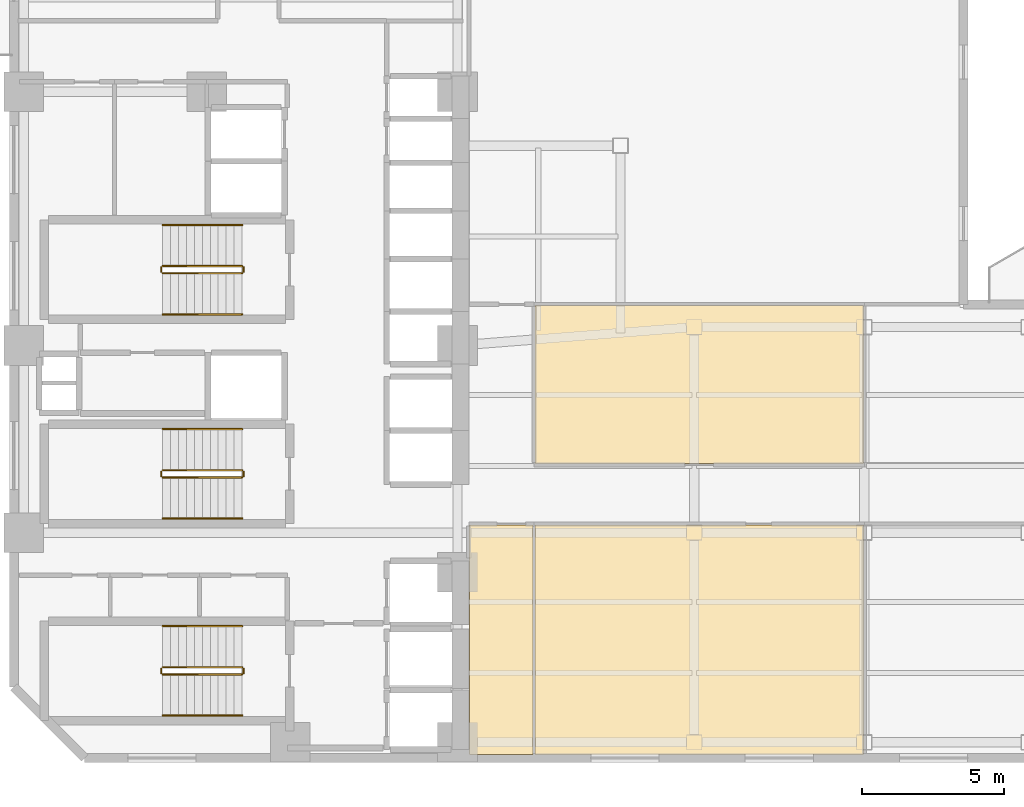
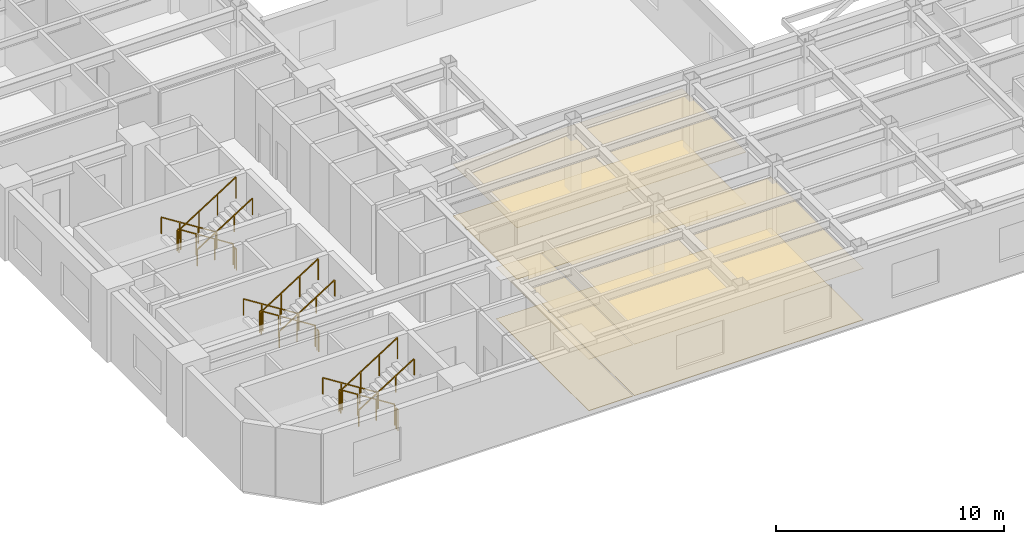
# One storey, part 8 of 10: 18 railings, 6 coverings.
"""IFC4 building model written with IfcOpenShell, lengths in metres."""

from ifc_helpers import new_model, si_unit, direction, frame, origin, origin_2d, place, context, subcontext, project, spatial, polyline, rectangle, outline, extrude, material, layer, layer_set, type_object, element, save


model = new_model("IFC4")

# Units and contexts
model_context = context("Model", 3, precision=1e-05, world=origin(), true_north=direction((0.0, 1.0)))
body_context = subcontext(model_context, "Body", "Model", "MODEL_VIEW")
ifc_project = project(units=[si_unit("LENGTHUNIT", "METRE"), si_unit("AREAUNIT", "SQUARE_METRE"), si_unit("VOLUMEUNIT", "CUBIC_METRE"), si_unit("PLANEANGLEUNIT", "RADIAN"), si_unit("MASSUNIT", "GRAM", prefix="KILO")], contexts=[model_context])

# Site, building, storey
site_placement = place(None, origin())
site = spatial("IfcSite", under=ifc_project, at=site_placement, CompositionType="ELEMENT")
building_placement = place(site_placement, origin())
building = spatial("IfcBuilding", under=site, at=building_placement, Name="Mawjaban Terraces University", CompositionType="ELEMENT")
storey_placement = place(building_placement, frame((0.0, 0.0, 34.89990234375)))
storey = spatial("IfcBuildingStorey", under=building, at=storey_placement, Name="L07", CompositionType="ELEMENT", Elevation=34.89990234375)

# Coverings
ifc_material_1 = material(Name="Acoustic mineral fibre ceiling tile", Category="masonry")
ifc_layer_1 = layer(ifc_material_1, 0.02001953125)
ifc_layer_set_1 = layer_set([ifc_layer_1], Name="Acoustic mineral fibre ceiling tile")
covering_type_1 = type_object("IfcCoveringType", Name="AcousticMineralCeiling_20", PredefinedType="CEILING", material=ifc_layer_set_1)
covering_1_placement = place(storey_placement, frame((0.0, 0.0, 2.75)))
element("IfcCovering", 1, at=covering_1_placement, inside=storey, type_object=covering_type_1, Name="L07 Classroom 1 Acoustic Ceiling", PredefinedType="CEILING", context=body_context, shape_type="SweptSolid", body=[
    extrude(outline(polyline([(38.080078125, 0.114990234375), (40.320068359375, 0.114990234375), (40.320068359375, 8.219970703125), (38.080078125, 8.219970703125), (38.080078125, 0.114990234375)])), origin(), (0.0, 0.0, 1.0), 0.02001953125),
])
covering_2_placement = place(storey_placement, frame((0.0, 0.0, 2.75)))
element("IfcCovering", 2, at=covering_2_placement, inside=storey, type_object=covering_type_1, Name="L07 Seminar Room 2 Acoustic Ceiling", PredefinedType="CEILING", context=body_context, shape_type="SweptSolid", body=[
    extrude(outline(polyline([(40.3798828125, 0.114990234375), (51.969970703125, 0.114990234375), (51.969970703125, 8.219970703125), (40.3798828125, 8.219970703125), (40.3798828125, 0.114990234375)])), origin(), (0.0, 0.0, 1.0), 0.02001953125),
])
covering_3_placement = place(storey_placement, frame((0.0, 0.0, 2.75)))
element("IfcCovering", 3, at=covering_3_placement, inside=storey, type_object=covering_type_1, Name="L07 Classroom 3 Acoustic Ceiling", PredefinedType="CEILING", context=body_context, shape_type="SweptSolid", body=[
    extrude(outline(polyline([(51.969970703125, 10.3798828125), (51.969970703125, 15.969970703125), (40.3798828125, 15.969970703125), (40.3798828125, 10.3798828125), (51.969970703125, 10.3798828125)])), origin(), (0.0, 0.0, 1.0), 0.02001953125),
])

# Railings
ifc_material_2 = material(Name="Brushed stainless steel 316", Category="steel")
railing_type_1 = type_object("IfcRailingType", Name="StairWallHandrail_900", PredefinedType="HANDRAIL", material=ifc_material_2)
railing_1_placement = place(storey_placement, frame((30.050048828125, 4.64990234375, 0.177490234375)))
element("IfcRailing", 4, at=railing_1_placement, inside=storey, type_object=railing_type_1, Name="L07 ST-1 stair handrail 1", PredefinedType="HANDRAIL", context=body_context, shape_type="SweptSolid", body=[
    extrude(rectangle(XDim=0.048095703125, YDim=0.048095703125, at=origin_2d()), frame((0.0, 0.0, 0.8759765625), z_axis=(-0.844908973607, 0.0, 0.534910110503), x_axis=(0.0, -1.0, 0.0)), (0.0, 0.0, 1.0), 3.31396484375),
    extrude(rectangle(XDim=0.0419921875, YDim=0.0419921875, at=origin_2d()), origin(), (0.0, 0.0, 1.0), 0.851806640625),
    extrude(rectangle(XDim=0.0419921875, YDim=0.0419921875, at=origin_2d()), frame((-0.933349609375, 0.0, 0.5908203125)), (0.0, 0.0, 1.0), 0.851806640625),
    extrude(rectangle(XDim=0.0419921875, YDim=0.0419921875, at=origin_2d()), frame((-1.86669921875, 0.0, 1.181884765625)), (0.0, 0.0, 1.0), 0.851806640625),
    extrude(rectangle(XDim=0.0419921875, YDim=0.0419921875, at=origin_2d()), frame((-2.800048828125, 0.0, 1.772705078125)), (0.0, 0.0, 1.0), 0.851806640625),
])
railing_2_placement = place(storey_placement, frame((27.25, 1.5, 2.12744140625)))
element("IfcRailing", 5, at=railing_2_placement, inside=storey, type_object=railing_type_1, Name="L07 ST-1 stair handrail 2", PredefinedType="HANDRAIL", context=body_context, shape_type="SweptSolid", body=[
    extrude(rectangle(XDim=0.048095703125, YDim=0.048095703125, at=origin_2d()), frame((0.0, 0.0, 0.8759765625), z_axis=(0.844908973607, 0.0, 0.534910110503), x_axis=(0.0, 1.0, 0.0)), (0.0, 0.0, 1.0), 3.31396484375),
    extrude(rectangle(XDim=0.0419921875, YDim=0.0419921875, at=origin_2d()), origin(), (0.0, 0.0, 1.0), 0.851806640625),
    extrude(rectangle(XDim=0.0419921875, YDim=0.0419921875, at=origin_2d()), frame((0.933349609375, 0.0, 0.5908203125)), (0.0, 0.0, 1.0), 0.851806640625),
    extrude(rectangle(XDim=0.0419921875, YDim=0.0419921875, at=origin_2d()), frame((1.86669921875, 0.0, 1.181884765625)), (0.0, 0.0, 1.0), 0.851806640625),
    extrude(rectangle(XDim=0.0419921875, YDim=0.0419921875, at=origin_2d()), frame((2.800048828125, 0.0, 1.772705078125)), (0.0, 0.0, 1.0), 0.851806640625),
])
railing_3_placement = place(storey_placement, frame((30.050048828125, 18.800048828125, 0.177490234375)))
element("IfcRailing", 6, at=railing_3_placement, inside=storey, type_object=railing_type_1, Name="L07 ST-2 stair handrail 1", PredefinedType="HANDRAIL", context=body_context, shape_type="SweptSolid", body=[
    extrude(rectangle(XDim=0.048095703125, YDim=0.048095703125, at=origin_2d()), frame((0.0, 0.0, 0.8759765625), z_axis=(-0.844908973607, 0.0, 0.534910110503), x_axis=(0.0, -1.0, 0.0)), (0.0, 0.0, 1.0), 3.31396484375),
    extrude(rectangle(XDim=0.0419921875, YDim=0.0419921875, at=origin_2d()), origin(), (0.0, 0.0, 1.0), 0.851806640625),
    extrude(rectangle(XDim=0.0419921875, YDim=0.0419921875, at=origin_2d()), frame((-0.933349609375, 0.0, 0.5908203125)), (0.0, 0.0, 1.0), 0.851806640625),
    extrude(rectangle(XDim=0.0419921875, YDim=0.0419921875, at=origin_2d()), frame((-1.86669921875, 0.0, 1.181884765625)), (0.0, 0.0, 1.0), 0.851806640625),
    extrude(rectangle(XDim=0.0419921875, YDim=0.0419921875, at=origin_2d()), frame((-2.800048828125, 0.0, 1.772705078125)), (0.0, 0.0, 1.0), 0.851806640625),
])
railing_4_placement = place(storey_placement, frame((27.25, 15.64990234375, 2.12744140625)))
element("IfcRailing", 7, at=railing_4_placement, inside=storey, type_object=railing_type_1, Name="L07 ST-2 stair handrail 2", PredefinedType="HANDRAIL", context=body_context, shape_type="SweptSolid", body=[
    extrude(rectangle(XDim=0.048095703125, YDim=0.048095703125, at=origin_2d()), frame((0.0, 0.0, 0.8759765625), z_axis=(0.844908973607, 0.0, 0.534910110503), x_axis=(0.0, 1.0, 0.0)), (0.0, 0.0, 1.0), 3.31396484375),
    extrude(rectangle(XDim=0.0419921875, YDim=0.0419921875, at=origin_2d()), origin(), (0.0, 0.0, 1.0), 0.851806640625),
    extrude(rectangle(XDim=0.0419921875, YDim=0.0419921875, at=origin_2d()), frame((0.933349609375, 0.0, 0.5908203125)), (0.0, 0.0, 1.0), 0.851806640625),
    extrude(rectangle(XDim=0.0419921875, YDim=0.0419921875, at=origin_2d()), frame((1.86669921875, 0.0, 1.181884765625)), (0.0, 0.0, 1.0), 0.851806640625),
    extrude(rectangle(XDim=0.0419921875, YDim=0.0419921875, at=origin_2d()), frame((2.800048828125, 0.0, 1.772705078125)), (0.0, 0.0, 1.0), 0.851806640625),
])
railing_5_placement = place(storey_placement, frame((30.050048828125, 11.60009765625, 0.177490234375)))
element("IfcRailing", 8, at=railing_5_placement, inside=storey, type_object=railing_type_1, Name="L07 ST-3 stair handrail 1", PredefinedType="HANDRAIL", context=body_context, shape_type="SweptSolid", body=[
    extrude(rectangle(XDim=0.048095703125, YDim=0.048095703125, at=origin_2d()), frame((0.0, 0.0, 0.8759765625), z_axis=(-0.844908973607, 0.0, 0.534910110503), x_axis=(0.0, -1.0, 0.0)), (0.0, 0.0, 1.0), 3.31396484375),
    extrude(rectangle(XDim=0.0419921875, YDim=0.0419921875, at=origin_2d()), origin(), (0.0, 0.0, 1.0), 0.851806640625),
    extrude(rectangle(XDim=0.0419921875, YDim=0.0419921875, at=origin_2d()), frame((-0.933349609375, 0.0, 0.5908203125)), (0.0, 0.0, 1.0), 0.851806640625),
    extrude(rectangle(XDim=0.0419921875, YDim=0.0419921875, at=origin_2d()), frame((-1.86669921875, 0.0, 1.181884765625)), (0.0, 0.0, 1.0), 0.851806640625),
    extrude(rectangle(XDim=0.0419921875, YDim=0.0419921875, at=origin_2d()), frame((-2.800048828125, 0.0, 1.772705078125)), (0.0, 0.0, 1.0), 0.851806640625),
])
railing_6_placement = place(storey_placement, frame((27.25, 8.449951171875, 2.12744140625)))
element("IfcRailing", 9, at=railing_6_placement, inside=storey, type_object=railing_type_1, Name="L07 ST-3 stair handrail 2", PredefinedType="HANDRAIL", context=body_context, shape_type="SweptSolid", body=[
    extrude(rectangle(XDim=0.048095703125, YDim=0.048095703125, at=origin_2d()), frame((0.0, 0.0, 0.8759765625), z_axis=(0.844908973607, 0.0, 0.534910110503), x_axis=(0.0, 1.0, 0.0)), (0.0, 0.0, 1.0), 3.31396484375),
    extrude(rectangle(XDim=0.0419921875, YDim=0.0419921875, at=origin_2d()), origin(), (0.0, 0.0, 1.0), 0.851806640625),
    extrude(rectangle(XDim=0.0419921875, YDim=0.0419921875, at=origin_2d()), frame((0.933349609375, 0.0, 0.5908203125)), (0.0, 0.0, 1.0), 0.851806640625),
    extrude(rectangle(XDim=0.0419921875, YDim=0.0419921875, at=origin_2d()), frame((1.86669921875, 0.0, 1.181884765625)), (0.0, 0.0, 1.0), 0.851806640625),
    extrude(rectangle(XDim=0.0419921875, YDim=0.0419921875, at=origin_2d()), frame((2.800048828125, 0.0, 1.772705078125)), (0.0, 0.0, 1.0), 0.851806640625),
])
ifc_material_3 = material(Name="Galvanised painted steel S355", Category="steel")
railing_type_2 = type_object("IfcRailingType", Name="StairWellGuard_1150", PredefinedType="BALUSTRADE", material=ifc_material_3)
railing_7_placement = place(storey_placement, frame((30.050048828125, 3.199951171875, 0.177490234375)))
element("IfcRailing", 10, at=railing_7_placement, inside=storey, type_object=railing_type_2, Name="L07 ST-1 stair guard 1", PredefinedType="BALUSTRADE", context=body_context, shape_type="SweptSolid", body=[
    extrude(rectangle(XDim=0.048095703125, YDim=0.048095703125, at=origin_2d()), frame((0.0, 0.0, 1.1259765625), z_axis=(-0.844908973607, 0.0, 0.534910110503), x_axis=(0.0, -1.0, 0.0)), (0.0, 0.0, 1.0), 3.31396484375),
    extrude(rectangle(XDim=0.0419921875, YDim=0.0419921875, at=origin_2d()), origin(), (0.0, 0.0, 1.0), 1.101806640625),
    extrude(rectangle(XDim=0.0419921875, YDim=0.0419921875, at=origin_2d()), frame((-0.933349609375, 0.0, 0.5908203125)), (0.0, 0.0, 1.0), 1.101806640625),
    extrude(rectangle(XDim=0.0419921875, YDim=0.0419921875, at=origin_2d()), frame((-1.86669921875, 0.0, 1.181884765625)), (0.0, 0.0, 1.0), 1.101806640625),
    extrude(rectangle(XDim=0.0419921875, YDim=0.0419921875, at=origin_2d()), frame((-2.800048828125, 0.0, 1.772705078125)), (0.0, 0.0, 1.0), 1.101806640625),
])
railing_8_placement = place(storey_placement, frame((27.199951171875, 3.14990234375, 1.9501953125)))
element("IfcRailing", 11, at=railing_8_placement, inside=storey, type_object=railing_type_2, Name="L07 ST-1 stair guard 2", PredefinedType="BALUSTRADE", context=body_context, shape_type="SweptSolid", body=[
    extrude(rectangle(XDim=0.048095703125, YDim=0.048095703125, at=origin_2d()), frame((0.0, 0.0, 1.1259765625), z_axis=(0.0, -1.0, 0.0), x_axis=(1.0, 0.0, 0.0)), (0.0, 0.0, 1.0), 0.14990234375),
    extrude(rectangle(XDim=0.0419921875, YDim=0.0419921875, at=origin_2d()), origin(), (0.0, 0.0, 1.0), 1.101806640625),
    extrude(rectangle(XDim=0.0419921875, YDim=0.0419921875, at=origin_2d()), frame((0.0, -0.14990234375, 0.0)), (0.0, 0.0, 1.0), 1.101806640625),
])
railing_9_placement = place(storey_placement, frame((27.25, 2.949951171875, 2.12744140625)))
element("IfcRailing", 12, at=railing_9_placement, inside=storey, type_object=railing_type_2, Name="L07 ST-1 stair guard 3", PredefinedType="BALUSTRADE", context=body_context, shape_type="SweptSolid", body=[
    extrude(rectangle(XDim=0.048095703125, YDim=0.048095703125, at=origin_2d()), frame((0.0, 0.0, 1.1259765625), z_axis=(0.844908973607, 0.0, 0.534910110503), x_axis=(0.0, 1.0, 0.0)), (0.0, 0.0, 1.0), 3.31396484375),
    extrude(rectangle(XDim=0.0419921875, YDim=0.0419921875, at=origin_2d()), origin(), (0.0, 0.0, 1.0), 1.101806640625),
    extrude(rectangle(XDim=0.0419921875, YDim=0.0419921875, at=origin_2d()), frame((0.933349609375, 0.0, 0.5908203125)), (0.0, 0.0, 1.0), 1.101806640625),
    extrude(rectangle(XDim=0.0419921875, YDim=0.0419921875, at=origin_2d()), frame((1.86669921875, 0.0, 1.181884765625)), (0.0, 0.0, 1.0), 1.101806640625),
    extrude(rectangle(XDim=0.0419921875, YDim=0.0419921875, at=origin_2d()), frame((2.800048828125, 0.0, 1.772705078125)), (0.0, 0.0, 1.0), 1.101806640625),
])
railing_10_placement = place(storey_placement, frame((30.10009765625, 3.14990234375, 0.0)))
element("IfcRailing", 13, at=railing_10_placement, inside=storey, type_object=railing_type_2, Name="L07 ST-1 stair guard 4", PredefinedType="BALUSTRADE", context=body_context, shape_type="SweptSolid", body=[
    extrude(rectangle(XDim=0.048095703125, YDim=0.048095703125, at=origin_2d()), frame((0.0, 0.0, 1.1259765625), z_axis=(0.0, -1.0, 0.0), x_axis=(1.0, 0.0, 0.0)), (0.0, 0.0, 1.0), 0.14990234375),
    extrude(rectangle(XDim=0.0419921875, YDim=0.0419921875, at=origin_2d()), origin(), (0.0, 0.0, 1.0), 1.101806640625),
    extrude(rectangle(XDim=0.0419921875, YDim=0.0419921875, at=origin_2d()), frame((0.0, -0.14990234375, 0.0)), (0.0, 0.0, 1.0), 1.101806640625),
])
railing_11_placement = place(storey_placement, frame((30.050048828125, 17.35009765625, 0.177490234375)))
element("IfcRailing", 14, at=railing_11_placement, inside=storey, type_object=railing_type_2, Name="L07 ST-2 stair guard 1", PredefinedType="BALUSTRADE", context=body_context, shape_type="SweptSolid", body=[
    extrude(rectangle(XDim=0.048095703125, YDim=0.048095703125, at=origin_2d()), frame((0.0, 0.0, 1.1259765625), z_axis=(-0.844908973607, 0.0, 0.534910110503), x_axis=(0.0, -1.0, 0.0)), (0.0, 0.0, 1.0), 3.31396484375),
    extrude(rectangle(XDim=0.0419921875, YDim=0.0419921875, at=origin_2d()), origin(), (0.0, 0.0, 1.0), 1.101806640625),
    extrude(rectangle(XDim=0.0419921875, YDim=0.0419921875, at=origin_2d()), frame((-0.933349609375, 0.0, 0.5908203125)), (0.0, 0.0, 1.0), 1.101806640625),
    extrude(rectangle(XDim=0.0419921875, YDim=0.0419921875, at=origin_2d()), frame((-1.86669921875, 0.0, 1.181884765625)), (0.0, 0.0, 1.0), 1.101806640625),
    extrude(rectangle(XDim=0.0419921875, YDim=0.0419921875, at=origin_2d()), frame((-2.800048828125, 0.0, 1.772705078125)), (0.0, 0.0, 1.0), 1.101806640625),
])
railing_12_placement = place(storey_placement, frame((27.199951171875, 17.300048828125, 1.9501953125)))
element("IfcRailing", 15, at=railing_12_placement, inside=storey, type_object=railing_type_2, Name="L07 ST-2 stair guard 2", PredefinedType="BALUSTRADE", context=body_context, shape_type="SweptSolid", body=[
    extrude(rectangle(XDim=0.048095703125, YDim=0.048095703125, at=origin_2d()), frame((0.0, 0.0, 1.1259765625), z_axis=(0.0, -1.0, 0.0), x_axis=(1.0, 0.0, 0.0)), (0.0, 0.0, 1.0), 0.150146484375),
    extrude(rectangle(XDim=0.0419921875, YDim=0.0419921875, at=origin_2d()), origin(), (0.0, 0.0, 1.0), 1.101806640625),
    extrude(rectangle(XDim=0.0419921875, YDim=0.0419921875, at=origin_2d()), frame((0.0, -0.150146484375, 0.0)), (0.0, 0.0, 1.0), 1.101806640625),
])
railing_13_placement = place(storey_placement, frame((27.25, 17.10009765625, 2.12744140625)))
element("IfcRailing", 16, at=railing_13_placement, inside=storey, type_object=railing_type_2, Name="L07 ST-2 stair guard 3", PredefinedType="BALUSTRADE", context=body_context, shape_type="SweptSolid", body=[
    extrude(rectangle(XDim=0.048095703125, YDim=0.048095703125, at=origin_2d()), frame((0.0, 0.0, 1.1259765625), z_axis=(0.844908973607, 0.0, 0.534910110503), x_axis=(0.0, 1.0, 0.0)), (0.0, 0.0, 1.0), 3.31396484375),
    extrude(rectangle(XDim=0.0419921875, YDim=0.0419921875, at=origin_2d()), origin(), (0.0, 0.0, 1.0), 1.101806640625),
    extrude(rectangle(XDim=0.0419921875, YDim=0.0419921875, at=origin_2d()), frame((0.933349609375, 0.0, 0.5908203125)), (0.0, 0.0, 1.0), 1.101806640625),
    extrude(rectangle(XDim=0.0419921875, YDim=0.0419921875, at=origin_2d()), frame((1.86669921875, 0.0, 1.181884765625)), (0.0, 0.0, 1.0), 1.101806640625),
    extrude(rectangle(XDim=0.0419921875, YDim=0.0419921875, at=origin_2d()), frame((2.800048828125, 0.0, 1.772705078125)), (0.0, 0.0, 1.0), 1.101806640625),
])
railing_14_placement = place(storey_placement, frame((30.10009765625, 17.300048828125, 0.0)))
element("IfcRailing", 17, at=railing_14_placement, inside=storey, type_object=railing_type_2, Name="L07 ST-2 stair guard 4", PredefinedType="BALUSTRADE", context=body_context, shape_type="SweptSolid", body=[
    extrude(rectangle(XDim=0.048095703125, YDim=0.048095703125, at=origin_2d()), frame((0.0, 0.0, 1.1259765625), z_axis=(0.0, -1.0, 0.0), x_axis=(1.0, 0.0, 0.0)), (0.0, 0.0, 1.0), 0.150146484375),
    extrude(rectangle(XDim=0.0419921875, YDim=0.0419921875, at=origin_2d()), origin(), (0.0, 0.0, 1.0), 1.101806640625),
    extrude(rectangle(XDim=0.0419921875, YDim=0.0419921875, at=origin_2d()), frame((0.0, -0.150146484375, 0.0)), (0.0, 0.0, 1.0), 1.101806640625),
])
railing_15_placement = place(storey_placement, frame((30.050048828125, 10.14990234375, 0.177490234375)))
element("IfcRailing", 18, at=railing_15_placement, inside=storey, type_object=railing_type_2, Name="L07 ST-3 stair guard 1", PredefinedType="BALUSTRADE", context=body_context, shape_type="SweptSolid", body=[
    extrude(rectangle(XDim=0.048095703125, YDim=0.048095703125, at=origin_2d()), frame((0.0, 0.0, 1.1259765625), z_axis=(-0.844908973607, 0.0, 0.534910110503), x_axis=(0.0, -1.0, 0.0)), (0.0, 0.0, 1.0), 3.31396484375),
    extrude(rectangle(XDim=0.0419921875, YDim=0.0419921875, at=origin_2d()), origin(), (0.0, 0.0, 1.0), 1.101806640625),
    extrude(rectangle(XDim=0.0419921875, YDim=0.0419921875, at=origin_2d()), frame((-0.933349609375, 0.0, 0.5908203125)), (0.0, 0.0, 1.0), 1.101806640625),
    extrude(rectangle(XDim=0.0419921875, YDim=0.0419921875, at=origin_2d()), frame((-1.86669921875, 0.0, 1.181884765625)), (0.0, 0.0, 1.0), 1.101806640625),
    extrude(rectangle(XDim=0.0419921875, YDim=0.0419921875, at=origin_2d()), frame((-2.800048828125, 0.0, 1.772705078125)), (0.0, 0.0, 1.0), 1.101806640625),
])
railing_16_placement = place(storey_placement, frame((27.199951171875, 10.10009765625, 1.9501953125)))
element("IfcRailing", 19, at=railing_16_placement, inside=storey, type_object=railing_type_2, Name="L07 ST-3 stair guard 2", PredefinedType="BALUSTRADE", context=body_context, shape_type="SweptSolid", body=[
    extrude(rectangle(XDim=0.048095703125, YDim=0.048095703125, at=origin_2d()), frame((0.0, 0.0, 1.1259765625), z_axis=(0.0, -1.0, 0.0), x_axis=(1.0, 0.0, 0.0)), (0.0, 0.0, 1.0), 0.150146484375),
    extrude(rectangle(XDim=0.0419921875, YDim=0.0419921875, at=origin_2d()), origin(), (0.0, 0.0, 1.0), 1.101806640625),
    extrude(rectangle(XDim=0.0419921875, YDim=0.0419921875, at=origin_2d()), frame((0.0, -0.150146484375, 0.0)), (0.0, 0.0, 1.0), 1.101806640625),
])
railing_17_placement = place(storey_placement, frame((27.25, 9.89990234375, 2.12744140625)))
element("IfcRailing", 20, at=railing_17_placement, inside=storey, type_object=railing_type_2, Name="L07 ST-3 stair guard 3", PredefinedType="BALUSTRADE", context=body_context, shape_type="SweptSolid", body=[
    extrude(rectangle(XDim=0.048095703125, YDim=0.048095703125, at=origin_2d()), frame((0.0, 0.0, 1.1259765625), z_axis=(0.844908973607, 0.0, 0.534910110503), x_axis=(0.0, 1.0, 0.0)), (0.0, 0.0, 1.0), 3.31396484375),
    extrude(rectangle(XDim=0.0419921875, YDim=0.0419921875, at=origin_2d()), origin(), (0.0, 0.0, 1.0), 1.101806640625),
    extrude(rectangle(XDim=0.0419921875, YDim=0.0419921875, at=origin_2d()), frame((0.933349609375, 0.0, 0.5908203125)), (0.0, 0.0, 1.0), 1.101806640625),
    extrude(rectangle(XDim=0.0419921875, YDim=0.0419921875, at=origin_2d()), frame((1.86669921875, 0.0, 1.181884765625)), (0.0, 0.0, 1.0), 1.101806640625),
    extrude(rectangle(XDim=0.0419921875, YDim=0.0419921875, at=origin_2d()), frame((2.800048828125, 0.0, 1.772705078125)), (0.0, 0.0, 1.0), 1.101806640625),
])
railing_18_placement = place(storey_placement, frame((30.10009765625, 10.10009765625, 0.0)))
element("IfcRailing", 21, at=railing_18_placement, inside=storey, type_object=railing_type_2, Name="L07 ST-3 stair guard 4", PredefinedType="BALUSTRADE", context=body_context, shape_type="SweptSolid", body=[
    extrude(rectangle(XDim=0.048095703125, YDim=0.048095703125, at=origin_2d()), frame((0.0, 0.0, 1.1259765625), z_axis=(0.0, -1.0, 0.0), x_axis=(1.0, 0.0, 0.0)), (0.0, 0.0, 1.0), 0.150146484375),
    extrude(rectangle(XDim=0.0419921875, YDim=0.0419921875, at=origin_2d()), origin(), (0.0, 0.0, 1.0), 1.101806640625),
    extrude(rectangle(XDim=0.0419921875, YDim=0.0419921875, at=origin_2d()), frame((0.0, -0.150146484375, 0.0)), (0.0, 0.0, 1.0), 1.101806640625),
])

# Coverings
ifc_material_4 = material(Name="Polished Hijazi granite terrazzo flooring", Category="masonry")
ifc_layer_2 = layer(ifc_material_4, 0.02490234375)
ifc_layer_set_2 = layer_set([ifc_layer_2], Name="Polished Hijazi granite terrazzo flooring")
covering_type_2 = type_object("IfcCoveringType", Name="TerrazzoConcourseFlooring_25", PredefinedType="FLOORING", material=ifc_layer_set_2)
covering_4_placement = place(storey_placement, origin())
element("IfcCovering", 22, at=covering_4_placement, inside=storey, type_object=covering_type_2, Name="L07 Classroom 1 Terrazzo Flooring", PredefinedType="FLOORING", context=body_context, shape_type="SweptSolid", body=[
    extrude(outline(polyline([(38.080078125, 0.114990234375), (40.320068359375, 0.114990234375), (40.320068359375, 8.219970703125), (38.080078125, 8.219970703125), (38.080078125, 0.114990234375)])), origin(), (0.0, 0.0, 1.0), 0.025146484375),
])
covering_5_placement = place(storey_placement, origin())
element("IfcCovering", 23, at=covering_5_placement, inside=storey, type_object=covering_type_2, Name="L07 Seminar Room 2 Terrazzo Flooring", PredefinedType="FLOORING", context=body_context, shape_type="SweptSolid", body=[
    extrude(outline(polyline([(40.3798828125, 0.114990234375), (51.969970703125, 0.114990234375), (51.969970703125, 8.219970703125), (40.3798828125, 8.219970703125), (40.3798828125, 0.114990234375)])), origin(), (0.0, 0.0, 1.0), 0.025146484375),
])
covering_6_placement = place(storey_placement, origin())
element("IfcCovering", 24, at=covering_6_placement, inside=storey, type_object=covering_type_2, Name="L07 Classroom 3 Terrazzo Flooring", PredefinedType="FLOORING", context=body_context, shape_type="SweptSolid", body=[
    extrude(outline(polyline([(51.969970703125, 10.3798828125), (51.969970703125, 15.969970703125), (40.3798828125, 15.969970703125), (40.3798828125, 10.3798828125), (51.969970703125, 10.3798828125)])), origin(), (0.0, 0.0, 1.0), 0.025146484375),
])

save(model, "model.ifc")
